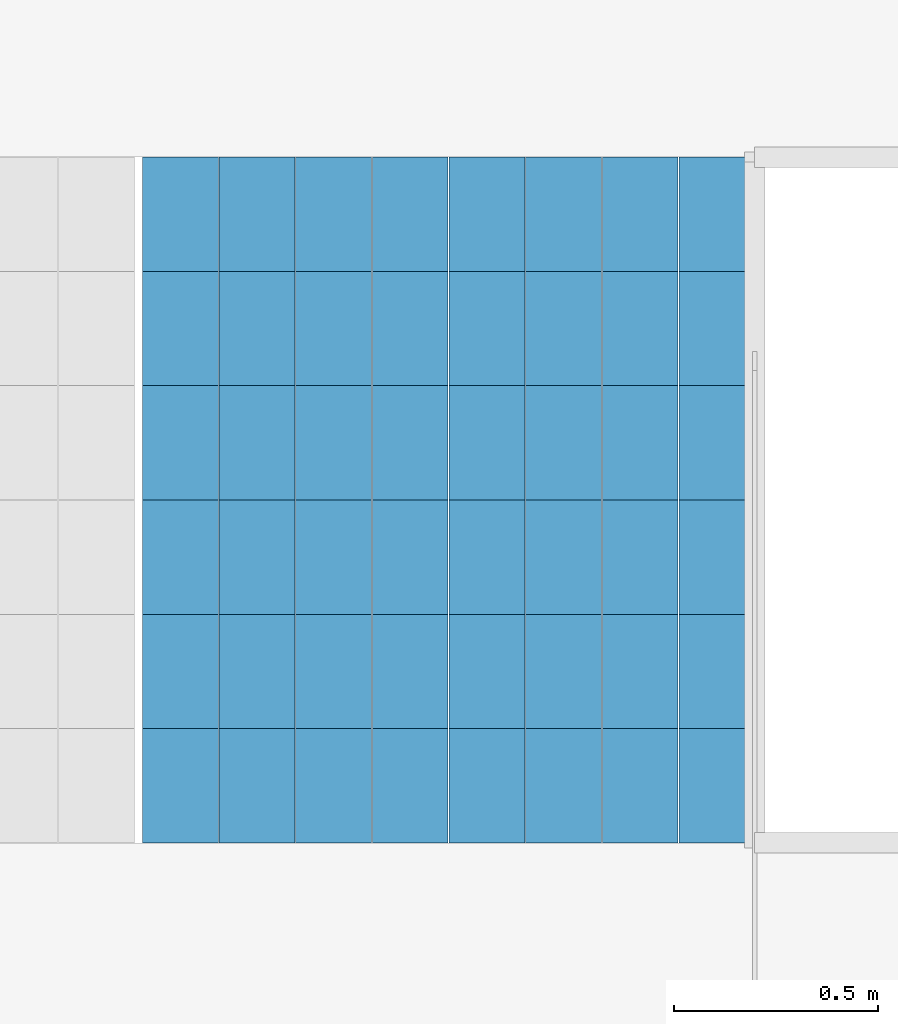
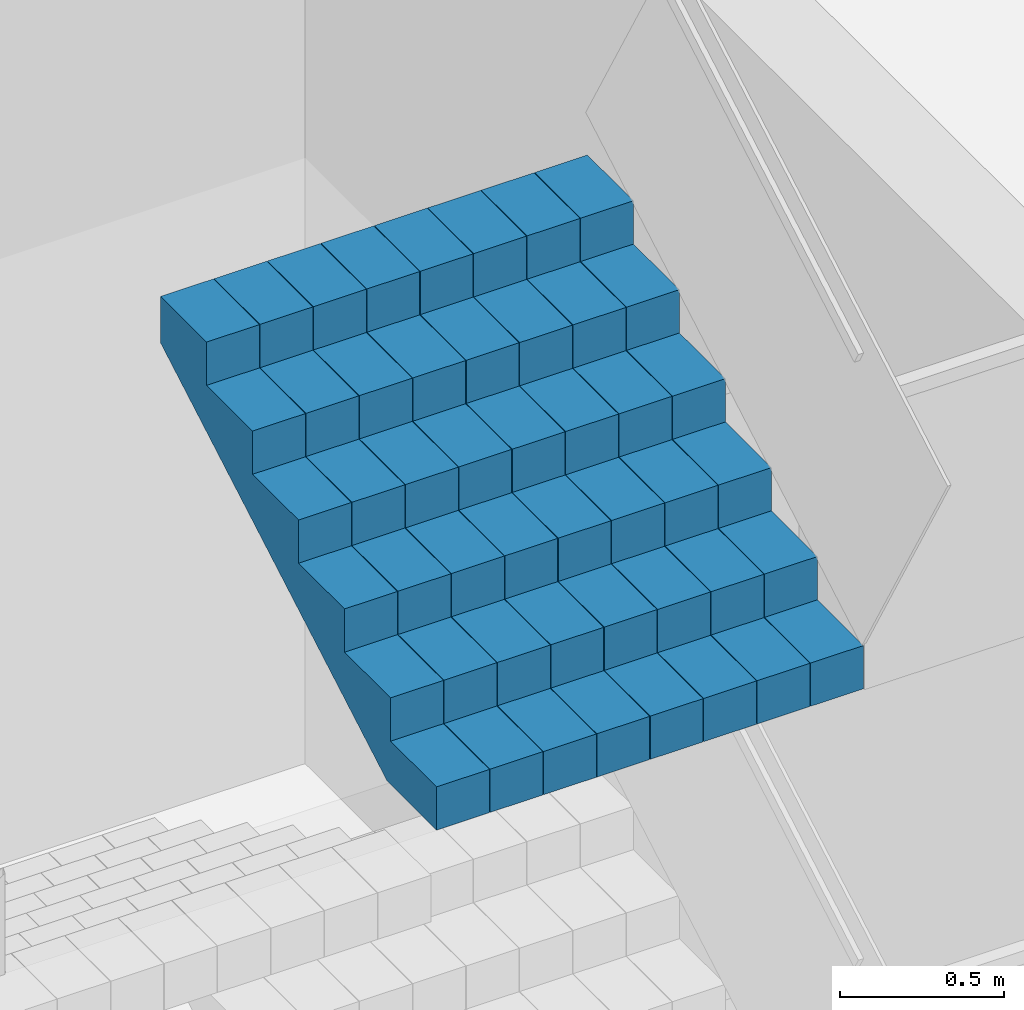
# One storey, part 22 of 25: 1 stair flight, 1 element without a shape of its own.
"""IFC4 building model written with IfcOpenShell, lengths in metres."""

from ifc_helpers import new_model, si_unit, direction, frame, origin, place, context, subcontext, project, spatial, polyline, outline, extrude, material, type_object, element, aggregate, save


model = new_model("IFC4")

# Units and contexts
model_context = context("Model", 3, precision=1e-05, world=origin(), true_north=direction((0.0, 1.0)))
body_context = subcontext(model_context, "Body", "Model", "MODEL_VIEW")
ifc_project = project(units=[si_unit("LENGTHUNIT", "METRE"), si_unit("AREAUNIT", "SQUARE_METRE"), si_unit("VOLUMEUNIT", "CUBIC_METRE"), si_unit("PLANEANGLEUNIT", "RADIAN"), si_unit("MASSUNIT", "GRAM", prefix="KILO")], contexts=[model_context])

# Site, building, storey
site_placement = place(None, origin())
site = spatial("IfcSite", under=ifc_project, at=site_placement, CompositionType="ELEMENT")
building_placement = place(site_placement, origin())
building = spatial("IfcBuilding", under=site, at=building_placement, Name="Kolab Exchange Tower", CompositionType="ELEMENT")
storey_placement = place(building_placement, frame((0.0, 0.0, 91.39990234375)))
storey = spatial("IfcBuildingStorey", under=building, at=storey_placement, Name="L17", CompositionType="ELEMENT", Elevation=91.39990234375)

# Stair, stair flight
ifc_material = material(Name="Concrete C50/60", Category="concrete")
stair_type = type_object("IfcStairType", Name="STAIR ST4 RISER 160.7", PredefinedType="DOUBLE_RETURN_STAIR", material=ifc_material)
stair_placement = place(storey_placement, origin())
stair = element("IfcStair", 1, at=stair_placement, inside=storey, type_object=stair_type, Name="Stair 4", PredefinedType="DOUBLE_RETURN_STAIR")
stair_flight_type = type_object("IfcStairFlightType", Name="STAIR FLIGHT 1500 RISER 160.7", PredefinedType="STRAIGHT", material=ifc_material)
stair_flight_placement = place(storey_placement, frame((19.9599609375, -1.030029296875, 3.375), z_axis=(0.0, 0.0, 1.0), x_axis=(0.0, 1.0, 0.0)))
stair_flight = element("IfcStairFlight", 2, at=stair_flight_placement, type_object=stair_flight_type, Name="ST4 flight 4", NumberOfRisers=7, NumberOfTreads=6, PredefinedType="STRAIGHT", RiserHeight=0.160714286, TreadLength=0.28, context=body_context, shape_type="SweptSolid", body=[
    extrude(outline(polyline([(0.0, 0.0), (0.0, 0.16064453125), (0.280029296875, 0.16064453125), (0.280029296875, 0.321533203125), (0.56005859375, 0.321533203125), (0.56005859375, 0.482177734375), (0.840087890625, 0.482177734375), (0.840087890625, 0.642822265625), (1.1201171875, 0.642822265625), (1.1201171875, 0.803466796875), (1.39990234375, 0.803466796875), (1.39990234375, 0.96435546875), (1.679931640625, 0.96435546875), (1.679931640625, 1.125), (1.679931640625, 0.79150390625), (0.301025390625, 0.0), (0.0, 0.0)])), frame((0.0, 0.75, 0.0), z_axis=(0.0, -1.0, 0.0), x_axis=(1.0, 0.0, 0.0)), (0.0, 0.0, 1.0), 0.185791015625),
    extrude(outline(polyline([(0.0, 0.0), (0.0, 0.16064453125), (0.280029296875, 0.16064453125), (0.280029296875, 0.321533203125), (0.56005859375, 0.321533203125), (0.56005859375, 0.482177734375), (0.840087890625, 0.482177734375), (0.840087890625, 0.642822265625), (1.1201171875, 0.642822265625), (1.1201171875, 0.803466796875), (1.39990234375, 0.803466796875), (1.39990234375, 0.96435546875), (1.679931640625, 0.96435546875), (1.679931640625, 1.125), (1.679931640625, 0.79150390625), (0.301025390625, 0.0), (0.0, 0.0)])), frame((0.0, 0.562255859375, 0.0), z_axis=(0.0, -1.0, 0.0), x_axis=(1.0, 0.0, 0.0)), (0.0, 0.0, 1.0), 0.185791015625),
    extrude(outline(polyline([(0.0, 0.0), (0.0, 0.16064453125), (0.280029296875, 0.16064453125), (0.280029296875, 0.321533203125), (0.56005859375, 0.321533203125), (0.56005859375, 0.482177734375), (0.840087890625, 0.482177734375), (0.840087890625, 0.642822265625), (1.1201171875, 0.642822265625), (1.1201171875, 0.803466796875), (1.39990234375, 0.803466796875), (1.39990234375, 0.96435546875), (1.679931640625, 0.96435546875), (1.679931640625, 1.125), (1.679931640625, 0.79150390625), (0.301025390625, 0.0), (0.0, 0.0)])), frame((0.0, 0.37451171875, 0.0), z_axis=(0.0, -1.0, 0.0), x_axis=(1.0, 0.0, 0.0)), (0.0, 0.0, 1.0), 0.185791015625),
    extrude(outline(polyline([(0.0, 0.0), (0.0, 0.16064453125), (0.280029296875, 0.16064453125), (0.280029296875, 0.321533203125), (0.56005859375, 0.321533203125), (0.56005859375, 0.482177734375), (0.840087890625, 0.482177734375), (0.840087890625, 0.642822265625), (1.1201171875, 0.642822265625), (1.1201171875, 0.803466796875), (1.39990234375, 0.803466796875), (1.39990234375, 0.96435546875), (1.679931640625, 0.96435546875), (1.679931640625, 1.125), (1.679931640625, 0.79150390625), (0.301025390625, 0.0), (0.0, 0.0)])), frame((0.0, 0.186767578125, 0.0), z_axis=(0.0, -1.0, 0.0), x_axis=(1.0, 0.0, 0.0)), (0.0, 0.0, 1.0), 0.185791015625),
    extrude(outline(polyline([(0.0, 0.0), (0.0, 0.16064453125), (0.280029296875, 0.16064453125), (0.280029296875, 0.321533203125), (0.56005859375, 0.321533203125), (0.56005859375, 0.482177734375), (0.840087890625, 0.482177734375), (0.840087890625, 0.642822265625), (1.1201171875, 0.642822265625), (1.1201171875, 0.803466796875), (1.39990234375, 0.803466796875), (1.39990234375, 0.96435546875), (1.679931640625, 0.96435546875), (1.679931640625, 1.125), (1.679931640625, 0.79150390625), (0.301025390625, 0.0), (0.0, 0.0)])), frame((0.0, -0.0009765625, 0.0), z_axis=(0.0, -1.0, 0.0), x_axis=(1.0, 0.0, 0.0)), (0.0, 0.0, 1.0), 0.185791015625),
    extrude(outline(polyline([(0.0, 0.0), (0.0, 0.16064453125), (0.280029296875, 0.16064453125), (0.280029296875, 0.321533203125), (0.56005859375, 0.321533203125), (0.56005859375, 0.482177734375), (0.840087890625, 0.482177734375), (0.840087890625, 0.642822265625), (1.1201171875, 0.642822265625), (1.1201171875, 0.803466796875), (1.39990234375, 0.803466796875), (1.39990234375, 0.96435546875), (1.679931640625, 0.96435546875), (1.679931640625, 1.125), (1.679931640625, 0.79150390625), (0.301025390625, 0.0), (0.0, 0.0)])), frame((0.0, -0.188720703125, 0.0), z_axis=(0.0, -1.0, 0.0), x_axis=(1.0, 0.0, 0.0)), (0.0, 0.0, 1.0), 0.185791015625),
    extrude(outline(polyline([(0.0, 0.0), (0.0, 0.16064453125), (0.280029296875, 0.16064453125), (0.280029296875, 0.321533203125), (0.56005859375, 0.321533203125), (0.56005859375, 0.482177734375), (0.840087890625, 0.482177734375), (0.840087890625, 0.642822265625), (1.1201171875, 0.642822265625), (1.1201171875, 0.803466796875), (1.39990234375, 0.803466796875), (1.39990234375, 0.96435546875), (1.679931640625, 0.96435546875), (1.679931640625, 1.125), (1.679931640625, 0.79150390625), (0.301025390625, 0.0), (0.0, 0.0)])), frame((0.0, -0.37646484375, 0.0), z_axis=(0.0, -1.0, 0.0), x_axis=(1.0, 0.0, 0.0)), (0.0, 0.0, 1.0), 0.185791015625),
    extrude(outline(polyline([(0.0, 0.0), (0.0, 0.16064453125), (0.280029296875, 0.16064453125), (0.280029296875, 0.321533203125), (0.56005859375, 0.321533203125), (0.56005859375, 0.482177734375), (0.840087890625, 0.482177734375), (0.840087890625, 0.642822265625), (1.1201171875, 0.642822265625), (1.1201171875, 0.803466796875), (1.39990234375, 0.803466796875), (1.39990234375, 0.96435546875), (1.679931640625, 0.96435546875), (1.679931640625, 1.125), (1.679931640625, 0.79150390625), (0.301025390625, 0.0), (0.0, 0.0)])), frame((0.0, -0.564208984375, 0.0), z_axis=(0.0, -1.0, 0.0), x_axis=(1.0, 0.0, 0.0)), (0.0, 0.0, 1.0), 0.185791015625),
])
aggregate(stair, [stair_flight])

save(model, "model.ifc")
